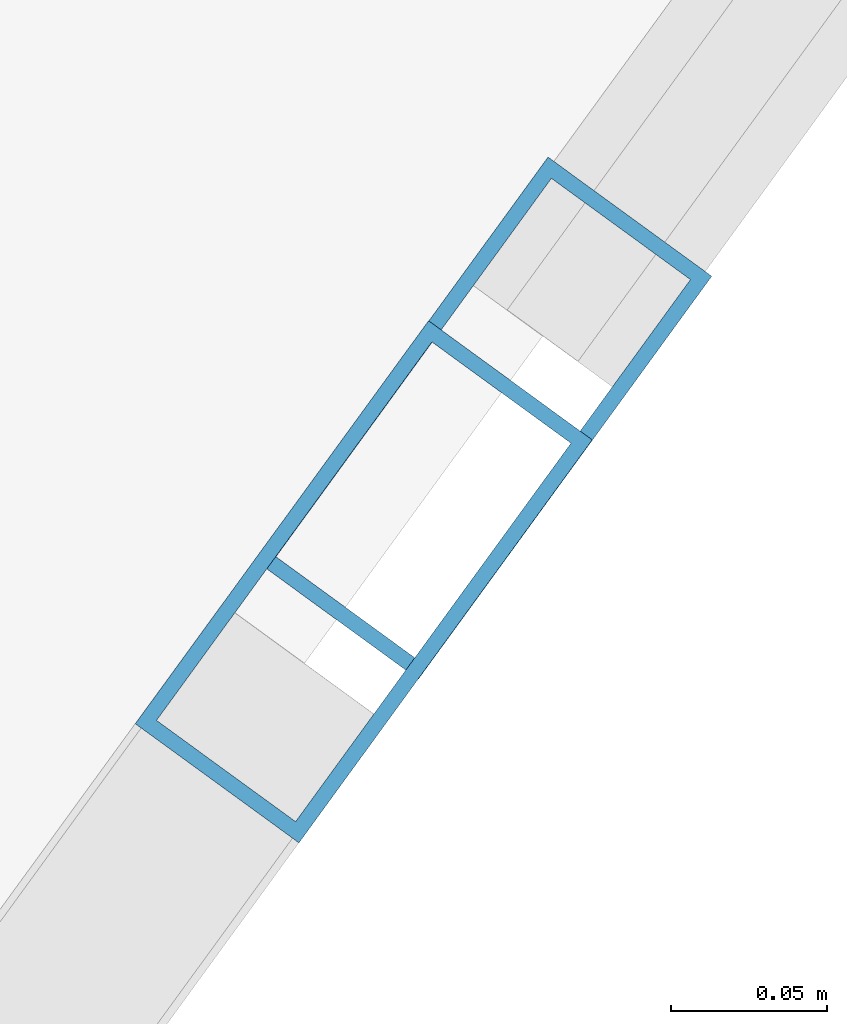
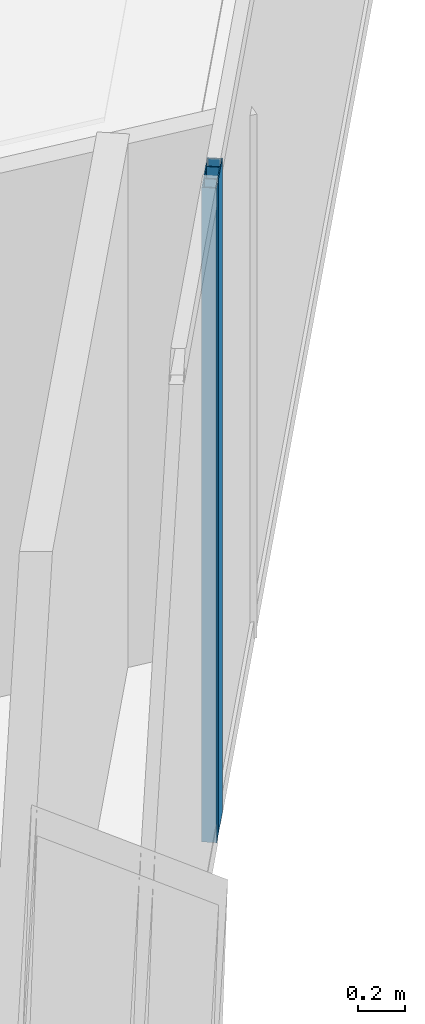
# One storey, part 10 of 21: 2 members, 2 elements without a shape of their own.
"""IFC4 building model written with IfcOpenShell, lengths in metres."""

from ifc_helpers import new_model, si_unit, direction, frame, origin, origin_2d, place, context, subcontext, project, spatial, hollow_rectangle, extrude, material, layer, layer_set, material_profile, profile_set, type_object, element, aggregate, save


model = new_model("IFC4")

# Units and contexts
model_context = context("Model", 3, precision=1e-05, world=origin(), true_north=direction((0.0, 1.0)))
body_context = subcontext(model_context, "Body", "Model", "MODEL_VIEW")
ifc_project = project(units=[si_unit("LENGTHUNIT", "METRE"), si_unit("AREAUNIT", "SQUARE_METRE"), si_unit("VOLUMEUNIT", "CUBIC_METRE"), si_unit("PLANEANGLEUNIT", "RADIAN"), si_unit("MASSUNIT", "GRAM", prefix="KILO")], contexts=[model_context])

# Site, building, storey
site_placement = place(None, origin())
site = spatial("IfcSite", under=ifc_project, at=site_placement, CompositionType="ELEMENT")
building_placement = place(site_placement, origin())
building = spatial("IfcBuilding", under=site, at=building_placement, Name="Qianvela Tower", CompositionType="ELEMENT")
storey_placement = place(building_placement, frame((0.0, 0.0, 272.300048828125)))
storey = spatial("IfcBuildingStorey", under=building, at=storey_placement, Name="L70", CompositionType="ELEMENT", Elevation=272.300048828125)

# Curtain wall, member
ifc_material_1 = material(Name="Anodised Architectural Aluminium and Insulated Spandrel Panel", Category="aluminium")
ifc_layer_1 = layer(ifc_material_1, 0.179931640625)
ifc_layer_set_1 = layer_set([ifc_layer_1], Name="Anodised Architectural Aluminium and Insulated Spandrel Panel")
curtain_wall_type_1 = type_object("IfcCurtainWallType", Name="CW-BRACEBAY", PredefinedType="USERDEFINED", material=ifc_layer_set_1)
curtain_wall_1_placement = place(storey_placement, origin())
curtain_wall_1 = element("IfcCurtainWall", 1, at=curtain_wall_1_placement, inside=storey, type_object=curtain_wall_type_1, Name="L70 CW-BRACEBAY Curtain Wall 06B", ObjectType="CURTAIN_WALL_SYSTEM", PredefinedType="USERDEFINED")
ifc_material_2 = material(Name="Anodised Architectural Aluminium 6063-T6", Category="aluminium")
ifc_material_profile_1 = material_profile(ifc_material_2, hollow_rectangle(XDim=0.06494140625, YDim=0.159912109375, WallThickness=0.0048828125, at=origin_2d()), Name="ALU-MULL-65x160")
ifc_profile_set_1 = profile_set([ifc_material_profile_1], Name="Anodised Architectural Aluminium 6063-T6")
member_type_1 = type_object("IfcMemberType", Name="CW-BRACEBAY-MULL", PredefinedType="MULLION", material=ifc_profile_set_1)
member_1_placement = place(storey_placement, frame((48.925537109375, 22.973876953125, 0.0), z_axis=(0.0, 0.0, 1.0), x_axis=(-0.808541481794, 0.588439183109, 0.0)))
member_1 = element("IfcMember", 2, at=member_1_placement, type_object=member_type_1, Name="CW-9 mullion 2", PredefinedType="MULLION", context=body_context, shape_type="SweptSolid", body=[
    extrude(hollow_rectangle(XDim=0.06494140625, YDim=0.159912109375, WallThickness=0.0048828125, at=origin_2d()), origin(), (0.0, 0.0, 1.0), 3.39990234375),
])
aggregate(curtain_wall_1, [member_1])

ifc_material_3 = material(Name="Anodised Architectural Aluminium and Low-E Glass", Category="aluminium")
ifc_layer_2 = layer(ifc_material_3, 0.159912109375)
ifc_layer_set_2 = layer_set([ifc_layer_2], Name="Anodised Architectural Aluminium and Low-E Glass")
curtain_wall_type_2 = type_object("IfcCurtainWallType", Name="CW-COLIV-Z56", PredefinedType="USERDEFINED", material=ifc_layer_set_2)
curtain_wall_2_placement = place(storey_placement, origin())
curtain_wall_2 = element("IfcCurtainWall", 3, at=curtain_wall_2_placement, inside=storey, type_object=curtain_wall_type_2, Name="L70 CW-COLIV-Z56 Curtain Wall 06C", ObjectType="CURTAIN_WALL_SYSTEM", PredefinedType="USERDEFINED")
ifc_material_4 = material(Name="Anodised Architectural Aluminium 6063-T6", Category="aluminium")
ifc_material_profile_2 = material_profile(ifc_material_4, hollow_rectangle(XDim=0.06494140625, YDim=0.159912109375, WallThickness=0.0048828125, at=origin_2d()), Name="ALU-MULL-65x160")
ifc_profile_set_2 = profile_set([ifc_material_profile_2], Name="Anodised Architectural Aluminium 6063-T6")
member_type_2 = type_object("IfcMemberType", Name="CW-COLIV-Z56-MULL", PredefinedType="MULLION", material=ifc_profile_set_2)
member_2_placement = place(storey_placement, frame((48.9638671875, 23.0263671875, 0.0), z_axis=(0.0, 0.0, 1.0), x_axis=(-0.808533557419, 0.588450071398, 0.0)))
member_2 = element("IfcMember", 4, at=member_2_placement, type_object=member_type_2, Name="CW-5 mullion 1", PredefinedType="MULLION", context=body_context, shape_type="SweptSolid", body=[
    extrude(hollow_rectangle(XDim=0.06494140625, YDim=0.159912109375, WallThickness=0.0048828125, at=origin_2d()), origin(), (0.0, 0.0, 1.0), 3.39990234375),
])
aggregate(curtain_wall_2, [member_2])

save(model, "model.ifc")
